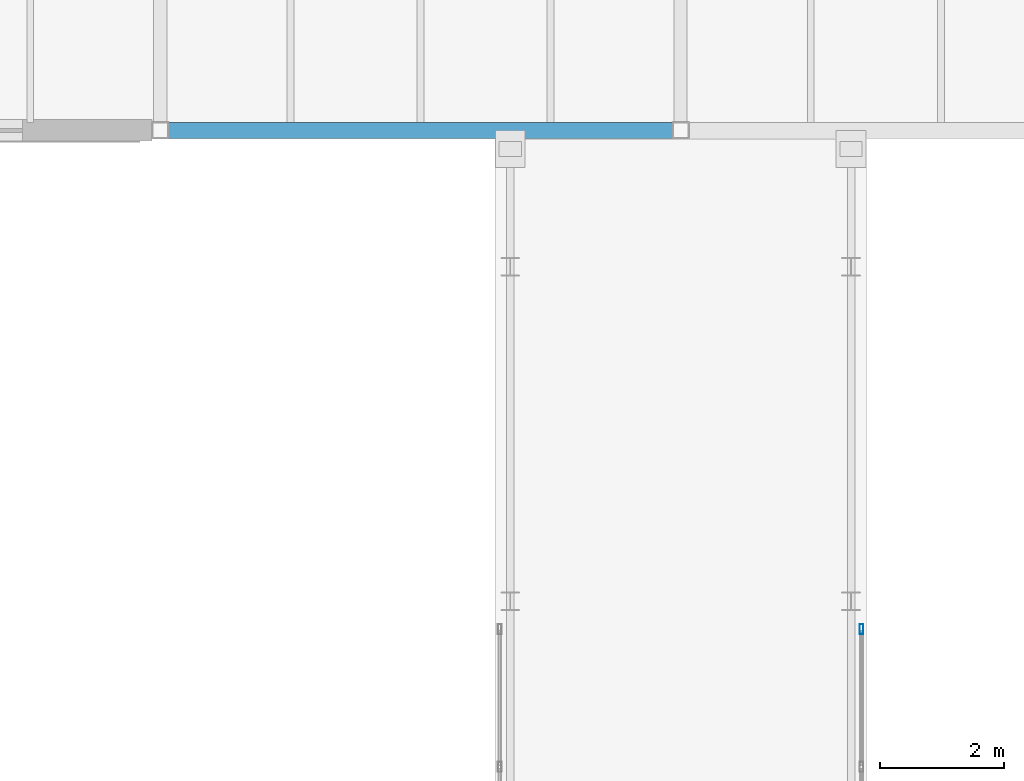
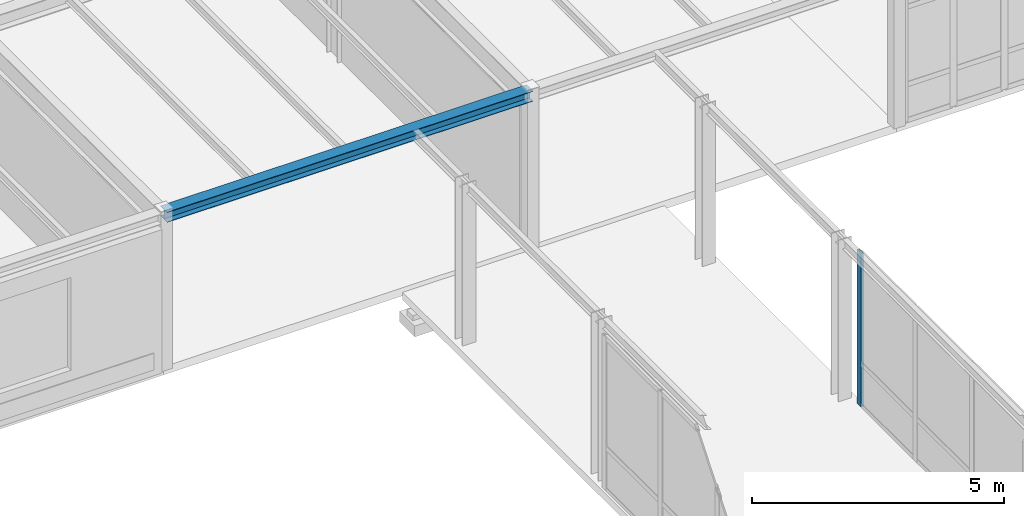
# One storey, part 91 of 189: 1 beam, 1 member, 1 element without a shape of its own.
"""IFC4 building model written with IfcOpenShell, lengths in metres."""

from ifc_helpers import new_model, si_unit, direction, frame, origin, origin_2d, place, context, subcontext, project, spatial, hollow_rectangle, i_section, extrude, material, layer, layer_set, material_profile, profile_set, type_object, element, aggregate, save


model = new_model("IFC4")

# Units and contexts
model_context = context("Model", 3, precision=1e-05, world=origin(), true_north=direction((0.0, 1.0)))
body_context = subcontext(model_context, "Body", "Model", "MODEL_VIEW")
ifc_project = project(units=[si_unit("LENGTHUNIT", "METRE"), si_unit("AREAUNIT", "SQUARE_METRE"), si_unit("VOLUMEUNIT", "CUBIC_METRE"), si_unit("PLANEANGLEUNIT", "RADIAN"), si_unit("MASSUNIT", "GRAM", prefix="KILO")], contexts=[model_context])

# Site, building, storey
site_placement = place(None, origin())
site = spatial("IfcSite", under=ifc_project, at=site_placement, CompositionType="ELEMENT")
building_placement = place(site_placement, origin())
building = spatial("IfcBuilding", under=site, at=building_placement, Name="Montecoro Central Library", CompositionType="ELEMENT")
storey_placement = place(building_placement, frame((0.0, 0.0, 9.179931640625)))
storey = spatial("IfcBuildingStorey", under=building, at=storey_placement, Name="L02", CompositionType="ELEMENT", Elevation=9.179931640625)

# Beam
ifc_material_1 = material(Name="Steel S355", Category="steel")
ifc_material_profile_1 = material_profile(ifc_material_1, i_section(OverallWidth=0.260009765625, OverallDepth=0.25, WebThickness=0.007568359375, FlangeThickness=0.012451171875, at=origin_2d()), Name="HEA 260")
ifc_profile_set_1 = profile_set([ifc_material_profile_1], Name="Steel S355")
beam_type = type_object("IfcBeamType", Name="BM-SP-HEA260", PredefinedType="SPANDREL", material=ifc_profile_set_1)
beam_placement = place(storey_placement, frame((83.205078125, 81.0, 3.699951171875), z_axis=(1.0, 0.0, 0.0), x_axis=(0.0, 1.0, 0.0)))
element("IfcBeam", 1, at=beam_placement, inside=storey, type_object=beam_type, Name="V2-L02-BX-1112-L", PredefinedType="SPANDREL", context=body_context, shape_type="SweptSolid", body=[
    extrude(i_section(OverallWidth=0.260009765625, OverallDepth=0.25, WebThickness=0.007568359375, FlangeThickness=0.012451171875, at=origin_2d()), origin(), (0.0, 0.0, 1.0), 8.389892578125),
])

# Curtain wall, member
ifc_material_2 = material(Name="Bronze-anodised aluminium and low-E glazing", Category="aluminium")
ifc_layer = layer(ifc_material_2, 0.159912109375)
ifc_layer_set = layer_set([ifc_layer], Name="Bronze-anodised aluminium and low-E glazing")
curtain_wall_type = type_object("IfcCurtainWallType", Name="CWT-078", PredefinedType="NOTDEFINED", material=ifc_layer_set)
curtain_wall_placement = place(storey_placement, origin())
curtain_wall = element("IfcCurtainWall", 2, at=curtain_wall_placement, inside=storey, type_object=curtain_wall_type, Name="BR-N-L02-CW-E2", PredefinedType="NOTDEFINED")
ifc_material_3 = material(Name="Bronze-anodised aluminium", Category="aluminium")
ifc_material_profile_2 = material_profile(ifc_material_3, hollow_rectangle(XDim=0.06005859375, YDim=0.159912109375, WallThickness=0.00390625, at=origin_2d()), Name="CWM 160x60x4.0")
ifc_profile_set_2 = profile_set([ifc_material_profile_2], Name="Bronze-anodised aluminium")
member_type = type_object("IfcMemberType", Name="CWM-BRZ-60", PredefinedType="MULLION", material=ifc_profile_set_2)
member_placement = place(storey_placement, frame((94.52001953125, 72.949951171875, 0.0), z_axis=(0.0, 0.0, 1.0), x_axis=(-1.0, 0.0, 0.0)))
member = element("IfcMember", 3, at=member_placement, type_object=member_type, Name="CW-078 mullion 4", PredefinedType="MULLION", context=body_context, shape_type="SweptSolid", body=[
    extrude(hollow_rectangle(XDim=0.06005859375, YDim=0.159912109375, WallThickness=0.00390625, at=origin_2d()), origin(), (0.0, 0.0, 1.0), 3.72998046875),
])
aggregate(curtain_wall, [member])

save(model, "model.ifc")
